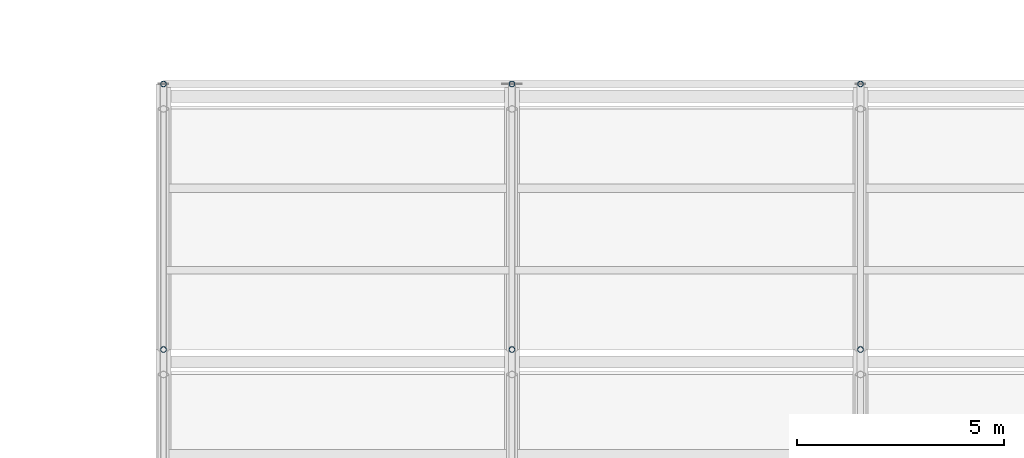
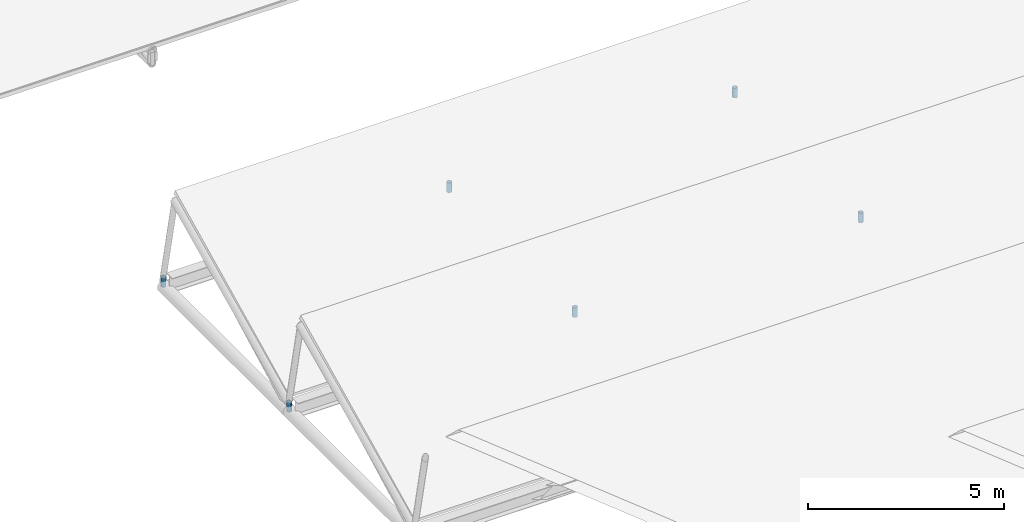
# One storey, part 119 of 194: 6 members.
"""IFC4 building model written with IfcOpenShell, lengths in metres."""

import ifcopenshell
import ifcopenshell.guid

model = None  # the IFC model being written
_history = None  # IfcOwnerHistory: only IFC2X3 demands one
_inside = {}  # id of a spatial element -> (the spatial element, [elements in it])
_under = {}  # id of a project, library or spatial element -> (it, [spatial elements below it])
_declared = {}  # id of a project -> (the project, [libraries it declares])
_typed = {}  # id of a type object -> (the type object, [elements of that type])
_made_of = {}  # id of a material, layer set ... -> (it, [elements and type objects made of it])


def new_model(schema):
    """Start an empty IFC model of exactly this schema.

    Asked for "IFC4X3", IfcOpenShell would pick the latest addendum, in which some entities
    have other attributes; the version numbers below select the first issue.
    IFC2X3 requires an IfcOwnerHistory on every rooted entity: one is made here for all.
    """
    global model, _history
    if schema == "IFC4X3":
        model = ifcopenshell.file(schema_version=(4, 3, 0, 0))
    else:
        model = ifcopenshell.file(schema=schema)
    _inside.clear()
    _under.clear()
    _declared.clear()
    _typed.clear()
    _made_of.clear()
    _history = None
    if model.schema == "IFC2X3":
        org = make("IfcOrganization", Name="unknown")
        user = make(
            "IfcPersonAndOrganization",
            ThePerson=make("IfcPerson", FamilyName="unknown"),
            TheOrganization=org,
        )
        app = make(
            "IfcApplication",
            ApplicationDeveloper=org,
            Version="unknown",
            ApplicationFullName="unknown",
            ApplicationIdentifier="unknown",
        )
        _history = make(
            "IfcOwnerHistory",
            OwningUser=user,
            OwningApplication=app,
            ChangeAction="ADDED",
            CreationDate=0,
        )
    return model


def make(cls, **values):
    """One entity of the class cls with the attributes given. An attribute that is None is left unset."""
    return model.create_entity(
        cls, **{name: value for name, value in values.items() if value is not None}
    )


def rooted(cls, **values):
    """An entity with a GlobalId (a new one), such as an element, a storey or a relation."""
    return make(cls, GlobalId=ifcopenshell.guid.new(), OwnerHistory=_history, **values)


def si_unit(unit_type, name, prefix=None):
    """IfcSIUnit, for example si_unit("LENGTHUNIT", "METRE", prefix="MILLI")."""
    return make("IfcSIUnit", UnitType=unit_type, Prefix=prefix, Name=name)


def assignment(units):
    """IfcUnitAssignment: the units of a project."""
    return None if units is None else make("IfcUnitAssignment", Units=units)


def point(xyz):
    """IfcCartesianPoint."""
    return None if xyz is None else make("IfcCartesianPoint", Coordinates=xyz)


def direction(xyz):
    """IfcDirection."""
    return None if xyz is None else make("IfcDirection", DirectionRatios=xyz)


def frame(location, z_axis=None, x_axis=None):
    """IfcAxis2Placement3D, a coordinate frame: its origin and axes. An axis left out is left unset."""
    return make(
        "IfcAxis2Placement3D",
        Location=point(location),
        Axis=direction(z_axis),
        RefDirection=direction(x_axis),
    )


def frame_2d(location, x_axis=None):
    """IfcAxis2Placement2D, a coordinate frame in the plane: its origin and x axis."""
    return make(
        "IfcAxis2Placement2D", Location=point(location), RefDirection=direction(x_axis)
    )


def origin():
    """The frame at (0, 0, 0) with its axes left unset."""
    return frame((0.0, 0.0, 0.0))


def origin_2d():
    """The frame at (0, 0) in the plane with its x axis left unset."""
    return frame_2d((0.0, 0.0))


def place(relative_to, where):
    """IfcLocalPlacement: puts the frame where relative to a parent placement (None: the world)."""
    return make(
        "IfcLocalPlacement", PlacementRelTo=relative_to, RelativePlacement=where
    )


def context(
    kind, dimensions, precision=None, world=None, true_north=None, identifier=None
):
    """IfcGeometricRepresentationContext, for example the 3D "Model" context."""
    return make(
        "IfcGeometricRepresentationContext",
        ContextIdentifier=identifier,
        ContextType=kind,
        CoordinateSpaceDimension=dimensions,
        Precision=precision,
        WorldCoordinateSystem=world,
        TrueNorth=true_north,
    )


def subcontext(parent, identifier, kind, view, scale=None):
    """IfcGeometricRepresentationSubContext, for example "Body" below "Model"."""
    return make(
        "IfcGeometricRepresentationSubContext",
        ContextIdentifier=identifier,
        ContextType=kind,
        ParentContext=parent,
        TargetScale=scale,
        TargetView=view,
    )


def project(units=None, contexts=None):
    """IfcProject with its units and contexts."""
    return rooted(
        "IfcProject",
        Name="project",
        RepresentationContexts=contexts,
        UnitsInContext=assignment(units),
    )


def spatial(cls, under=None, at=None, **own):
    """A site, building, storey or space (cls), placed at a placement, below another one or the project."""
    s = rooted(cls, ObjectPlacement=at, **own)
    if under is not None:
        _under.setdefault(under.id(), (under, []))[1].append(s)
    return s


def profile(cls, at=None, kind="AREA", **sizes):
    """A parametric profile (cls). Its sizes go by their IFC names, for example OverallWidth=200.0."""
    return make(cls, ProfileType=kind, Position=at, **sizes)


def hollow_circle(**sizes):
    """IfcCircleHollowProfileDef."""
    return profile("IfcCircleHollowProfileDef", **sizes)


def extrude(swept, where, along, depth):
    """IfcExtrudedAreaSolid: the profile swept, set in the frame where, extruded along a direction by depth."""
    return make(
        "IfcExtrudedAreaSolid",
        SweptArea=swept,
        Position=where,
        ExtrudedDirection=direction(along),
        Depth=depth,
    )


def shape(context_of_items, identifier, shape_type, items):
    """IfcShapeRepresentation: the items that make up one representation, for example the "Body"."""
    return make(
        "IfcShapeRepresentation",
        ContextOfItems=context_of_items,
        RepresentationIdentifier=identifier,
        RepresentationType=shape_type,
        Items=items,
    )


def material(Name=None, Category=None):
    """IfcMaterial."""
    return make("IfcMaterial", Name=Name, Category=Category)


def material_profile(
    of_material, cross_section, Name=None, Category=None, Priority=None
):
    """IfcMaterialProfile: a cross section and its material."""
    return make(
        "IfcMaterialProfile",
        Name=Name,
        Material=of_material,
        Profile=cross_section,
        Priority=Priority,
        Category=Category,
    )


def profile_set(profiles, Name=None, composite=None):
    """IfcMaterialProfileSet."""
    return make(
        "IfcMaterialProfileSet",
        Name=Name,
        MaterialProfiles=profiles,
        CompositeProfile=composite,
    )


def made_of(thing, what):
    """Note that an element or type object is made of a material, layer set ...; save() writes the relation."""
    if what is not None:
        _made_of.setdefault(what.id(), (what, []))[1].append(thing)
    return thing


def type_object(cls, material=None, **own):
    """A type object (cls), such as IfcWallType, which elements share."""
    return made_of(rooted(cls, **own), material)


def element(
    cls,
    number,
    at=None,
    inside=None,
    cuts=None,
    type_object=None,
    material=None,
    context=None,
    identifier="Body",
    shape_type=None,
    held_by="IfcProductDefinitionShape",
    body=None,
    shapes=None,
    **own,
):
    """One element of the class cls, such as IfcWall. Its Tag is "e" and its number.

    at: its placement. inside: the storey or other place that contains it. cuts: it is an
    opening in that element (IfcRelVoidsElement). A single representation is given by context,
    identifier, shape_type and body (its items); several are given by shapes. held_by: the class
    of the entity that holds the representations. save() writes the other relations.
    """
    e = rooted(cls, Tag="e%d" % number, ObjectPlacement=at, **own)
    if body is not None:
        shapes = [shape(context, identifier, shape_type, body)]
    if shapes is not None:
        e.Representation = make(held_by, Representations=shapes)
    if inside is not None:
        _inside.setdefault(inside.id(), (inside, []))[1].append(e)
    if cuts is not None:
        rooted(
            "IfcRelVoidsElement", RelatingBuildingElement=cuts, RelatedOpeningElement=e
        )
    if type_object is not None:
        _typed.setdefault(type_object.id(), (type_object, []))[1].append(e)
    return made_of(e, material)


def aggregate(whole, parts):
    """IfcRelAggregates: a whole, such as a stair, and the parts it consists of."""
    return rooted("IfcRelAggregates", RelatingObject=whole, RelatedObjects=parts)


def save(model, path):
    """Write the relations noted so far, then the file.

    IfcRelAggregates (storeys below a building ...), IfcRelContainedInSpatialStructure (elements
    in a storey), IfcRelDefinesByType, IfcRelAssociatesMaterial and IfcRelDeclares: one each for
    every whole, place, type object, material and project.
    """
    for whole, parts in _under.values():
        aggregate(whole, parts)
    for where, things in _inside.values():
        rooted(
            "IfcRelContainedInSpatialStructure",
            RelatedElements=things,
            RelatingStructure=where,
        )
    for kind, things in _typed.values():
        rooted("IfcRelDefinesByType", RelatedObjects=things, RelatingType=kind)
    for what, things in _made_of.values():
        rooted("IfcRelAssociatesMaterial", RelatedObjects=things, RelatingMaterial=what)
    for by, libraries in _declared.values():
        rooted("IfcRelDeclares", RelatingContext=by, RelatedDefinitions=libraries)
    model.write(path)


model = new_model("IFC4")

# Units and contexts
model_context = context("Model", 3, precision=1e-05, world=origin(), true_north=direction((0.0, 1.0)))
body_context = subcontext(model_context, "Body", "Model", "MODEL_VIEW")
ifc_project = project(units=[si_unit("LENGTHUNIT", "METRE"), si_unit("AREAUNIT", "SQUARE_METRE"), si_unit("VOLUMEUNIT", "CUBIC_METRE"), si_unit("PLANEANGLEUNIT", "RADIAN"), si_unit("MASSUNIT", "GRAM", prefix="KILO")], contexts=[model_context])

# Site, building, storey
site_placement = place(None, origin())
site = spatial("IfcSite", under=ifc_project, at=site_placement, CompositionType="ELEMENT")
building_placement = place(site_placement, origin())
building = spatial("IfcBuilding", under=site, at=building_placement, Name="Kazenagashi Tramway Depot", CompositionType="ELEMENT")
storey_placement = place(building_placement, frame((0.0, 0.0, 23.7)))
storey = spatial("IfcBuildingStorey", under=building, at=storey_placement, Name="ROOF", CompositionType="ELEMENT", Elevation=23.7)

# Members
ifc_material = material(Name="Steel STK490", Category="steel")
ifc_material_profile = material_profile(ifc_material, hollow_circle(Radius=0.0699, WallThickness=0.0066, at=origin_2d()), Name="CHS-139.8x6.6")
ifc_profile_set = profile_set([ifc_material_profile], Name="Steel STK490")
member_type = type_object("IfcMemberType", Name="TS-02", PredefinedType="STRUT", material=ifc_profile_set)
for number, where, z_axis, x_axis, name in (
    (1, (44.8, 48.5, -8.9), (0.0, 0.0, 1.0), (1.0, 0.0, 0.0), "Roof Truss TS-02 MEM-1171"),
    (2, (44.8, 54.9, -8.9), (0.0, 0.0, 1.0), (1.0, 0.0, 0.0), "Roof Truss TS-02 MEM-1173"),
    (3, (53.2, 48.5, -8.9), (0.0, 0.0, 1.0), (1.0, 0.0, 0.0), "Roof Truss TS-02 MEM-1200"),
    (4, (53.2, 54.9, -8.9), (0.0, 0.0, 1.0), (1.0, 0.0, 0.0), "Roof Truss TS-02 MEM-1202"),
    (5, (61.6, 48.5, -8.9), (0.0, 0.0, 1.0), (1.0, 0.0, 0.0), "Roof Truss TS-02 MEM-1229"),
    (6, (61.6, 54.9, -8.9), (0.0, 0.0, 1.0), (1.0, 0.0, 0.0), "Roof Truss TS-02 MEM-1231"),
):
    element("IfcMember", number, at=place(storey_placement, frame(where, z_axis=z_axis, x_axis=x_axis)), inside=storey, type_object=member_type, Name=name, PredefinedType="STRUT", context=body_context, shape_type="SweptSolid", body=[
        extrude(hollow_circle(Radius=0.0699, WallThickness=0.0066, at=origin_2d()), origin(), (0.0, 0.0, 1.0), 0.3),
    ])

save(model, "model.ifc")
